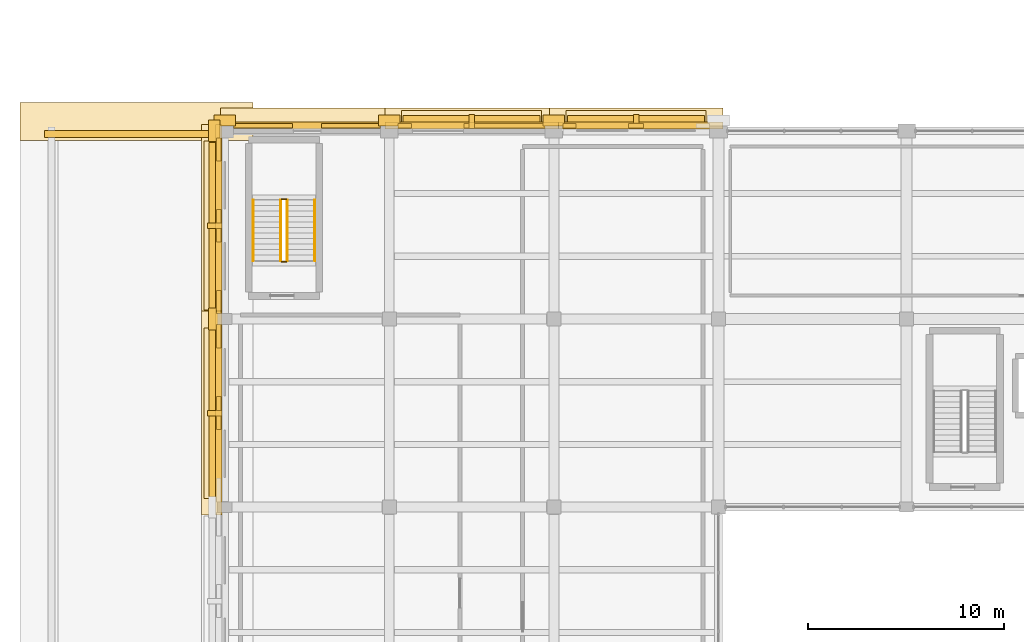
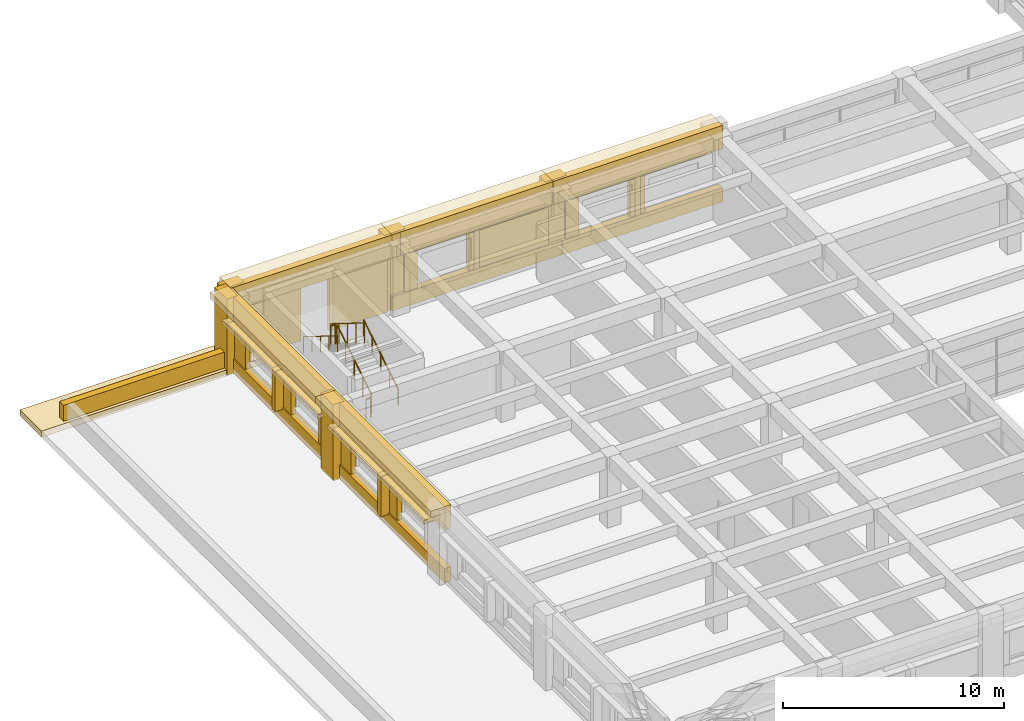
# One storey, part 55 of 62: 40 coverings, 6 railings, 4 shading devices.
"""IFC4 building model written with IfcOpenShell, lengths in metres."""

from ifc_helpers import new_model, si_unit, direction, frame, origin, origin_2d, place, context, subcontext, project, spatial, rectangle, circle, extrude, material, layer, layer_set, type_object, element, save


model = new_model("IFC4")

# Units and contexts
model_context = context("Model", 3, precision=1e-05, world=origin(), true_north=direction((0.0, 1.0)))
body_context = subcontext(model_context, "Body", "Model", "MODEL_VIEW")
ifc_project = project(units=[si_unit("LENGTHUNIT", "METRE"), si_unit("AREAUNIT", "SQUARE_METRE"), si_unit("VOLUMEUNIT", "CUBIC_METRE"), si_unit("PLANEANGLEUNIT", "RADIAN"), si_unit("MASSUNIT", "GRAM", prefix="KILO")], contexts=[model_context])

# Site, building, storey
site_placement = place(None, origin())
site = spatial("IfcSite", under=ifc_project, at=site_placement, CompositionType="ELEMENT")
building_placement = place(site_placement, origin())
building = spatial("IfcBuilding", under=site, at=building_placement, Name="Bempovik Park Faculty of Sciences", CompositionType="ELEMENT")
storey_placement = place(building_placement, frame((0.0, 0.0, 9.89990234375)))
storey = spatial("IfcBuildingStorey", under=building, at=storey_placement, Name="L02", CompositionType="ELEMENT", Elevation=9.89990234375)

# Coverings
ifc_material_1 = material(Name="Precast concrete C40/50", Category="concrete")
ifc_layer_1 = layer(ifc_material_1, 0.179931640625)
ifc_layer_set_1 = layer_set([ifc_layer_1], Name="Precast concrete C40/50")
covering_type_1 = type_object("IfcCoveringType", Name="CL-02 Classical Cornice Band 180mm", PredefinedType="CLADDING", material=ifc_layer_set_1)
covering_1_placement = place(storey_placement, frame((14.93505859375, 72.60009765625, 3.83984375), z_axis=(0.0, 0.0, 1.0), x_axis=(1.0, 0.0, 0.0)))
element("IfcCovering", 1, at=covering_1_placement, inside=storey, type_object=covering_type_1, Name="L02 Classical Projecting Dentil Cornice EW-L02-7445", PredefinedType="CLADDING", context=body_context, shape_type="SweptSolid", body=[
    extrude(rectangle(XDim=1.050048828125, YDim=10.406005859375, at=origin_2d()), origin(), (0.0, 0.0, 1.0), 0.360107421875),
])
covering_2_placement = place(storey_placement, frame((15.0, 72.60009765625, 2.91015625), z_axis=(0.0, 0.0, 1.0), x_axis=(1.0, 0.0, 0.0)))
element("IfcCovering", 2, at=covering_2_placement, inside=storey, type_object=covering_type_1, Name="L02 Classical Stone Solar Window Hood EW-L02-7445", PredefinedType="CLADDING", context=body_context, shape_type="SweptSolid", body=[
    extrude(rectangle(XDim=0.919921875, YDim=8.7060546875, at=origin_2d()), origin(), (0.0, 0.0, 1.0), 0.219970703125),
])
covering_3_placement = place(storey_placement, frame((14.93505859375, 82.159912109375, 3.83984375), z_axis=(0.0, 0.0, 1.0), x_axis=(1.0, 0.0, 0.0)))
element("IfcCovering", 3, at=covering_3_placement, inside=storey, type_object=covering_type_1, Name="L02 Classical Projecting Dentil Cornice EW-L02-7458", PredefinedType="CLADDING", context=body_context, shape_type="SweptSolid", body=[
    extrude(rectangle(XDim=1.050048828125, YDim=10.325927734375, at=origin_2d()), origin(), (0.0, 0.0, 1.0), 0.360107421875),
])
covering_4_placement = place(storey_placement, frame((15.0, 82.159912109375, 2.91015625), z_axis=(0.0, 0.0, 1.0), x_axis=(1.0, 0.0, 0.0)))
element("IfcCovering", 4, at=covering_4_placement, inside=storey, type_object=covering_type_1, Name="L02 Classical Stone Solar Window Hood EW-L02-7458", PredefinedType="CLADDING", context=body_context, shape_type="SweptSolid", body=[
    extrude(rectangle(XDim=0.919921875, YDim=8.6259765625, at=origin_2d()), origin(), (0.0, 0.0, 1.0), 0.219970703125),
])
for number, where, z_axis, x_axis, name in (
    (5, (19.800048828125, 87.635009765625, 3.83984375), (0.0, 0.0, 1.0), (1.0, 0.0, 0.0), "L02 Classical Projecting Dentil Cornice EW-L02-7471"),
    (6, (28.199951171875, 87.635009765625, 3.83984375), (0.0, 0.0, 1.0), (1.0, 0.0, 0.0), "L02 Classical Projecting Dentil Cornice EW-L02-7479"),
):
    element("IfcCovering", number, at=place(storey_placement, frame(where, z_axis=z_axis, x_axis=x_axis)), inside=storey, type_object=covering_type_1, Name=name, PredefinedType="CLADDING", context=body_context, shape_type="SweptSolid", body=[
        extrude(rectangle(XDim=8.845947265625, YDim=1.050048828125, at=origin_2d()), origin(), (0.0, 0.0, 1.0), 0.360107421875),
    ])
covering_5_placement = place(storey_placement, frame((28.199951171875, 87.570068359375, 2.91015625), z_axis=(0.0, 0.0, 1.0), x_axis=(1.0, 0.0, 0.0)))
element("IfcCovering", 7, at=covering_5_placement, inside=storey, type_object=covering_type_1, Name="L02 Classical Stone Solar Window Hood EW-L02-7479", PredefinedType="CLADDING", context=body_context, shape_type="SweptSolid", body=[
    extrude(rectangle(XDim=7.14599609375, YDim=0.919921875, at=origin_2d()), origin(), (0.0, 0.0, 1.0), 0.219970703125),
])
covering_6_placement = place(storey_placement, frame((36.60009765625, 87.635009765625, 3.83984375), z_axis=(0.0, 0.0, 1.0), x_axis=(1.0, 0.0, 0.0)))
element("IfcCovering", 8, at=covering_6_placement, inside=storey, type_object=covering_type_1, Name="L02 Classical Projecting Dentil Cornice EW-L02-7490", PredefinedType="CLADDING", context=body_context, shape_type="SweptSolid", body=[
    extrude(rectangle(XDim=8.845947265625, YDim=1.050048828125, at=origin_2d()), origin(), (0.0, 0.0, 1.0), 0.360107421875),
])
covering_7_placement = place(storey_placement, frame((36.60009765625, 87.570068359375, 2.91015625), z_axis=(0.0, 0.0, 1.0), x_axis=(1.0, 0.0, 0.0)))
element("IfcCovering", 9, at=covering_7_placement, inside=storey, type_object=covering_type_1, Name="L02 Classical Stone Solar Window Hood EW-L02-7490", PredefinedType="CLADDING", context=body_context, shape_type="SweptSolid", body=[
    extrude(rectangle(XDim=7.14599609375, YDim=0.919921875, at=origin_2d()), origin(), (0.0, 0.0, 1.0), 0.219970703125),
])
covering_8_placement = place(storey_placement, frame((11.10009765625, 87.47509765625, -0.06982421875), z_axis=(0.0, 0.0, 1.0), x_axis=(1.0, 0.0, 0.0)))
element("IfcCovering", 10, at=covering_8_placement, inside=storey, type_object=covering_type_1, Name="Classical Deep Overhanging Stone Eave V4LO-N", PredefinedType="CLADDING", context=body_context, shape_type="SweptSolid", body=[
    extrude(rectangle(XDim=11.89990234375, YDim=1.949951171875, at=origin_2d()), origin(), (0.0, 0.0, 1.0), 0.340087890625),
])
ifc_material_2 = material(Name="White reconstituted limestone precast C40/50", Category="masonry")
ifc_layer_2 = layer(ifc_material_2, 0.239990234375)
ifc_layer_set_2 = layer_set([ifc_layer_2], Name="White reconstituted limestone precast C40/50")
covering_type_2 = type_object("IfcCoveringType", Name="CL-03 Classical Fluted Limestone Pilaster 240mm", PredefinedType="CLADDING", material=ifc_layer_set_2)
covering_9_placement = place(storey_placement, frame((15.2900390625, 72.60009765625, 2.919921875), z_axis=(0.0, 0.0, 1.0), x_axis=(1.0, 0.0, 0.0)))
element("IfcCovering", 11, at=covering_9_placement, inside=storey, type_object=covering_type_2, Name="L02 Classical Limestone Spandrel Entablature EW-L02-7445", PredefinedType="CLADDING", context=body_context, shape_type="SweptSolid", body=[
    extrude(rectangle(XDim=0.340087890625, YDim=10.406005859375, at=origin_2d()), origin(), (0.0, 0.0, 1.0), 1.280029296875),
])
covering_10_placement = place(storey_placement, frame((15.2900390625, 72.60009765625, 0.0), z_axis=(0.0, 0.0, 1.0), x_axis=(1.0, 0.0, 0.0)))
element("IfcCovering", 12, at=covering_10_placement, inside=storey, type_object=covering_type_2, Name="L02 Classical Limestone Sill Dado EW-L02-7445", PredefinedType="CLADDING", context=body_context, shape_type="SweptSolid", body=[
    extrude(rectangle(XDim=0.340087890625, YDim=10.406005859375, at=origin_2d()), origin(), (0.0, 0.0, 1.0), 0.780029296875),
])
covering_11_placement = place(storey_placement, frame((15.070068359375, 77.39990234375, 0.0), z_axis=(0.0, 0.0, 1.0), x_axis=(1.0, 0.0, 0.0)))
element("IfcCovering", 13, at=covering_11_placement, inside=storey, type_object=covering_type_2, Name="L02 Classical Fluted Stone Pilaster PIL-BA-L02-151-774", PredefinedType="CLADDING", context=body_context, shape_type="SweptSolid", body=[
    extrude(rectangle(XDim=0.580078125, YDim=1.10009765625, at=origin_2d()), origin(), (0.0, 0.0, 1.0), 4.199951171875),
])
covering_12_placement = place(storey_placement, frame((15.300048828125, 72.60009765625, 0.0), z_axis=(0.0, 0.0, 1.0), x_axis=(1.0, 0.0, 0.0)))
element("IfcCovering", 14, at=covering_12_placement, inside=storey, type_object=covering_type_2, Name="L02 White Limestone Wall Cheek EW-L02-7445-2", PredefinedType="CLADDING", context=body_context, shape_type="SweptSolid", body=[
    extrude(rectangle(XDim=0.239990234375, YDim=1.685791015625, at=origin_2d()), origin(), (0.0, 0.0, 1.0), 3.080078125),
])
covering_13_placement = place(storey_placement, frame((15.300048828125, 76.525390625, 0.0), z_axis=(0.0, 0.0, 1.0), x_axis=(1.0, 0.0, 0.0)))
element("IfcCovering", 15, at=covering_13_placement, inside=storey, type_object=covering_type_2, Name="L02 White Limestone Wall Cheek EW-L02-7445-4", PredefinedType="CLADDING", context=body_context, shape_type="SweptSolid", body=[
    extrude(rectangle(XDim=0.239990234375, YDim=1.205078125, at=origin_2d()), origin(), (0.0, 0.0, 1.0), 3.080078125),
])
covering_14_placement = place(storey_placement, frame((15.090087890625, 72.60009765625, 0.7001953125), z_axis=(0.0, 0.0, 1.0), x_axis=(1.0, 0.0, 0.0)))
element("IfcCovering", 16, at=covering_14_placement, inside=storey, type_object=covering_type_2, Name="L02 Classical Vertical Stone Shading Fin EW-L02-7445", PredefinedType="CLADDING", context=body_context, shape_type="SweptSolid", body=[
    extrude(rectangle(XDim=0.719970703125, YDim=0.280029296875, at=origin_2d()), origin(), (0.0, 0.0, 1.0), 2.25),
])
covering_15_placement = place(storey_placement, frame((15.2900390625, 82.159912109375, 2.919921875), z_axis=(0.0, 0.0, 1.0), x_axis=(1.0, 0.0, 0.0)))
element("IfcCovering", 17, at=covering_15_placement, inside=storey, type_object=covering_type_2, Name="L02 Classical Limestone Spandrel Entablature EW-L02-7458", PredefinedType="CLADDING", context=body_context, shape_type="SweptSolid", body=[
    extrude(rectangle(XDim=0.340087890625, YDim=10.325927734375, at=origin_2d()), origin(), (0.0, 0.0, 1.0), 1.280029296875),
])
covering_16_placement = place(storey_placement, frame((15.2900390625, 82.159912109375, 0.0), z_axis=(0.0, 0.0, 1.0), x_axis=(1.0, 0.0, 0.0)))
element("IfcCovering", 18, at=covering_16_placement, inside=storey, type_object=covering_type_2, Name="L02 Classical Limestone Sill Dado EW-L02-7458", PredefinedType="CLADDING", context=body_context, shape_type="SweptSolid", body=[
    extrude(rectangle(XDim=0.340087890625, YDim=10.325927734375, at=origin_2d()), origin(), (0.0, 0.0, 1.0), 0.780029296875),
])
covering_17_placement = place(storey_placement, frame((15.070068359375, 87.0, 0.0), z_axis=(0.0, 0.0, 1.0), x_axis=(1.0, 0.0, 0.0)))
element("IfcCovering", 19, at=covering_17_placement, inside=storey, type_object=covering_type_2, Name="L02 Classical Fluted Stone Pilaster PIL-BA-L02-151-870", PredefinedType="CLADDING", context=body_context, shape_type="SweptSolid", body=[
    extrude(rectangle(XDim=0.580078125, YDim=1.10009765625, at=origin_2d()), origin(), (0.0, 0.0, 1.0), 4.199951171875),
])
covering_18_placement = place(storey_placement, frame((15.300048828125, 78.263916015625, 0.0), z_axis=(0.0, 0.0, 1.0), x_axis=(1.0, 0.0, 0.0)))
element("IfcCovering", 20, at=covering_18_placement, inside=storey, type_object=covering_type_2, Name="L02 White Limestone Wall Cheek EW-L02-7458-0", PredefinedType="CLADDING", context=body_context, shape_type="SweptSolid", body=[
    extrude(rectangle(XDim=0.239990234375, YDim=1.18359375, at=origin_2d()), origin(), (0.0, 0.0, 1.0), 3.080078125),
])
covering_19_placement = place(storey_placement, frame((15.300048828125, 82.159912109375, 0.0), z_axis=(0.0, 0.0, 1.0), x_axis=(1.0, 0.0, 0.0)))
element("IfcCovering", 21, at=covering_19_placement, inside=storey, type_object=covering_type_2, Name="L02 White Limestone Wall Cheek EW-L02-7458-2", PredefinedType="CLADDING", context=body_context, shape_type="SweptSolid", body=[
    extrude(rectangle(XDim=0.239990234375, YDim=1.64892578125, at=origin_2d()), origin(), (0.0, 0.0, 1.0), 3.080078125),
])
covering_20_placement = place(storey_placement, frame((15.300048828125, 86.05615234375, 0.0), z_axis=(0.0, 0.0, 1.0), x_axis=(1.0, 0.0, 0.0)))
element("IfcCovering", 22, at=covering_20_placement, inside=storey, type_object=covering_type_2, Name="L02 White Limestone Wall Cheek EW-L02-7458-4", PredefinedType="CLADDING", context=body_context, shape_type="SweptSolid", body=[
    extrude(rectangle(XDim=0.239990234375, YDim=1.18359375, at=origin_2d()), origin(), (0.0, 0.0, 1.0), 3.080078125),
])
covering_21_placement = place(storey_placement, frame((15.090087890625, 82.159912109375, 0.7001953125), z_axis=(0.0, 0.0, 1.0), x_axis=(1.0, 0.0, 0.0)))
element("IfcCovering", 23, at=covering_21_placement, inside=storey, type_object=covering_type_2, Name="L02 Classical Vertical Stone Shading Fin EW-L02-7458", PredefinedType="CLADDING", context=body_context, shape_type="SweptSolid", body=[
    extrude(rectangle(XDim=0.719970703125, YDim=0.280029296875, at=origin_2d()), origin(), (0.0, 0.0, 1.0), 2.25),
])
covering_22_placement = place(storey_placement, frame((19.800048828125, 87.280029296875, 2.919921875), z_axis=(0.0, 0.0, 1.0), x_axis=(1.0, 0.0, 0.0)))
element("IfcCovering", 24, at=covering_22_placement, inside=storey, type_object=covering_type_2, Name="L02 Classical Limestone Spandrel Entablature EW-L02-7471", PredefinedType="CLADDING", context=body_context, shape_type="SweptSolid", body=[
    extrude(rectangle(XDim=8.845947265625, YDim=0.340087890625, at=origin_2d()), origin(), (0.0, 0.0, 1.0), 1.280029296875),
])
for number, where, z_axis, x_axis, name in (
    (25, (15.60009765625, 87.530029296875, 0.0), (0.0, 0.0, 1.0), (1.0, 0.0, 0.0), "L02 Classical Fluted Stone Pilaster PIL-BA-L02-156-875"),
    (26, (24.0, 87.530029296875, 0.0), (0.0, 0.0, 1.0), (1.0, 0.0, 0.0), "L02 Classical Fluted Stone Pilaster PIL-BA-L02-240-875"),
):
    element("IfcCovering", number, at=place(storey_placement, frame(where, z_axis=z_axis, x_axis=x_axis)), inside=storey, type_object=covering_type_2, Name=name, PredefinedType="CLADDING", context=body_context, shape_type="SweptSolid", body=[
        extrude(rectangle(XDim=1.10009765625, YDim=0.580078125, at=origin_2d()), origin(), (0.0, 0.0, 1.0), 4.199951171875),
    ])
for number, where, z_axis, x_axis, name in (
    (27, (17.555908203125, 87.27001953125, 0.0), (0.0, 0.0, 1.0), (1.0, 0.0, 0.0), "L02 Stairwell White Limestone Cheek EW-L02-7471-1"),
    (28, (22.0439453125, 87.27001953125, 0.0), (0.0, 0.0, 1.0), (1.0, 0.0, 0.0), "L02 Stairwell White Limestone Cheek EW-L02-7471-2"),
):
    element("IfcCovering", number, at=place(storey_placement, frame(where, z_axis=z_axis, x_axis=x_axis)), inside=storey, type_object=covering_type_2, Name=name, PredefinedType="CLADDING", context=body_context, shape_type="SweptSolid", body=[
        extrude(rectangle(XDim=3.008056640625, YDim=0.239990234375, at=origin_2d()), origin(), (0.0, 0.0, 1.0), 3.080078125),
    ])
covering_23_placement = place(storey_placement, frame((28.199951171875, 87.280029296875, 2.919921875), z_axis=(0.0, 0.0, 1.0), x_axis=(1.0, 0.0, 0.0)))
element("IfcCovering", 29, at=covering_23_placement, inside=storey, type_object=covering_type_2, Name="L02 Classical Limestone Spandrel Entablature EW-L02-7479", PredefinedType="CLADDING", context=body_context, shape_type="SweptSolid", body=[
    extrude(rectangle(XDim=8.845947265625, YDim=0.340087890625, at=origin_2d()), origin(), (0.0, 0.0, 1.0), 1.280029296875),
])
covering_24_placement = place(storey_placement, frame((28.199951171875, 87.280029296875, 0.0), z_axis=(0.0, 0.0, 1.0), x_axis=(1.0, 0.0, 0.0)))
element("IfcCovering", 30, at=covering_24_placement, inside=storey, type_object=covering_type_2, Name="L02 Classical Limestone Sill Dado EW-L02-7479", PredefinedType="CLADDING", context=body_context, shape_type="SweptSolid", body=[
    extrude(rectangle(XDim=8.845947265625, YDim=0.340087890625, at=origin_2d()), origin(), (0.0, 0.0, 1.0), 0.780029296875),
])
covering_25_placement = place(storey_placement, frame((32.39990234375, 87.530029296875, 0.0), z_axis=(0.0, 0.0, 1.0), x_axis=(1.0, 0.0, 0.0)))
element("IfcCovering", 31, at=covering_25_placement, inside=storey, type_object=covering_type_2, Name="L02 Classical Fluted Stone Pilaster PIL-BA-L02-324-875", PredefinedType="CLADDING", context=body_context, shape_type="SweptSolid", body=[
    extrude(rectangle(XDim=1.10009765625, YDim=0.580078125, at=origin_2d()), origin(), (0.0, 0.0, 1.0), 4.199951171875),
])
covering_26_placement = place(storey_placement, frame((24.7939453125, 87.27001953125, 0.0), z_axis=(0.0, 0.0, 1.0), x_axis=(1.0, 0.0, 0.0)))
element("IfcCovering", 32, at=covering_26_placement, inside=storey, type_object=covering_type_2, Name="L02 White Limestone Wall Cheek EW-L02-7479-0", PredefinedType="CLADDING", context=body_context, shape_type="SweptSolid", body=[
    extrude(rectangle(XDim=0.683837890625, YDim=0.239990234375, at=origin_2d()), origin(), (0.0, 0.0, 1.0), 3.080078125),
])
covering_27_placement = place(storey_placement, frame((29.882080078125, 87.27001953125, 0.0), z_axis=(0.0, 0.0, 1.0), x_axis=(1.0, 0.0, 0.0)))
element("IfcCovering", 33, at=covering_27_placement, inside=storey, type_object=covering_type_2, Name="L02 White Limestone Wall Cheek EW-L02-7479-2", PredefinedType="CLADDING", context=body_context, shape_type="SweptSolid", body=[
    extrude(rectangle(XDim=4.132080078125, YDim=0.239990234375, at=origin_2d()), origin(), (0.0, 0.0, 1.0), 3.080078125),
])
covering_28_placement = place(storey_placement, frame((28.199951171875, 87.47998046875, 0.7001953125), z_axis=(0.0, 0.0, 1.0), x_axis=(1.0, 0.0, 0.0)))
element("IfcCovering", 34, at=covering_28_placement, inside=storey, type_object=covering_type_2, Name="L02 Classical Vertical Stone Shading Fin EW-L02-7479", PredefinedType="CLADDING", context=body_context, shape_type="SweptSolid", body=[
    extrude(rectangle(XDim=0.280029296875, YDim=0.719970703125, at=origin_2d()), origin(), (0.0, 0.0, 1.0), 2.25),
])
covering_29_placement = place(storey_placement, frame((36.60009765625, 87.280029296875, 2.919921875), z_axis=(0.0, 0.0, 1.0), x_axis=(1.0, 0.0, 0.0)))
element("IfcCovering", 35, at=covering_29_placement, inside=storey, type_object=covering_type_2, Name="L02 Classical Limestone Spandrel Entablature EW-L02-7490", PredefinedType="CLADDING", context=body_context, shape_type="SweptSolid", body=[
    extrude(rectangle(XDim=8.845947265625, YDim=0.340087890625, at=origin_2d()), origin(), (0.0, 0.0, 1.0), 1.280029296875),
])
covering_30_placement = place(storey_placement, frame((36.60009765625, 87.280029296875, 0.0), z_axis=(0.0, 0.0, 1.0), x_axis=(1.0, 0.0, 0.0)))
element("IfcCovering", 36, at=covering_30_placement, inside=storey, type_object=covering_type_2, Name="L02 Classical Limestone Sill Dado EW-L02-7490", PredefinedType="CLADDING", context=body_context, shape_type="SweptSolid", body=[
    extrude(rectangle(XDim=8.845947265625, YDim=0.340087890625, at=origin_2d()), origin(), (0.0, 0.0, 1.0), 0.780029296875),
])
covering_31_placement = place(storey_placement, frame((33.19384765625, 87.27001953125, 0.0), z_axis=(0.0, 0.0, 1.0), x_axis=(1.0, 0.0, 0.0)))
element("IfcCovering", 37, at=covering_31_placement, inside=storey, type_object=covering_type_2, Name="L02 White Limestone Wall Cheek EW-L02-7490-0", PredefinedType="CLADDING", context=body_context, shape_type="SweptSolid", body=[
    extrude(rectangle(XDim=0.683837890625, YDim=0.239990234375, at=origin_2d()), origin(), (0.0, 0.0, 1.0), 3.080078125),
])
covering_32_placement = place(storey_placement, frame((36.60009765625, 87.27001953125, 0.0), z_axis=(0.0, 0.0, 1.0), x_axis=(1.0, 0.0, 0.0)))
element("IfcCovering", 38, at=covering_32_placement, inside=storey, type_object=covering_type_2, Name="L02 White Limestone Wall Cheek EW-L02-7490-2", PredefinedType="CLADDING", context=body_context, shape_type="SweptSolid", body=[
    extrude(rectangle(XDim=0.768310546875, YDim=0.239990234375, at=origin_2d()), origin(), (0.0, 0.0, 1.0), 3.080078125),
])
covering_33_placement = place(storey_placement, frame((36.60009765625, 87.47998046875, 0.7001953125), z_axis=(0.0, 0.0, 1.0), x_axis=(1.0, 0.0, 0.0)))
element("IfcCovering", 39, at=covering_33_placement, inside=storey, type_object=covering_type_2, Name="L02 Classical Vertical Stone Shading Fin EW-L02-7490", PredefinedType="CLADDING", context=body_context, shape_type="SweptSolid", body=[
    extrude(rectangle(XDim=0.280029296875, YDim=0.719970703125, at=origin_2d()), origin(), (0.0, 0.0, 1.0), 2.25),
])
covering_34_placement = place(storey_placement, frame((11.10009765625, 86.85009765625, 0.10498046875), z_axis=(0.0, 0.0, 1.0), x_axis=(1.0, 0.0, 0.0)))
element("IfcCovering", 40, at=covering_34_placement, inside=storey, type_object=covering_type_2, Name="White Limestone Attic Fascia V4LO-N", PredefinedType="CLADDING", context=body_context, shape_type="SweptSolid", body=[
    extrude(rectangle(XDim=9.39990234375, YDim=0.360107421875, at=origin_2d()), origin(), (0.0, 0.0, 1.0), 1.050048828125),
])

# Railings
ifc_material_3 = material(Name="Anodised architectural bronze")
railing_type_1 = type_object("IfcRailingType", Name="GR-01 Guardrail 1120mm", PredefinedType="GUARDRAIL", material=ifc_material_3)
railing_1_placement = place(storey_placement, frame((18.800048828125, 80.375, 0.175048828125)))
element("IfcRailing", 41, at=railing_1_placement, inside=storey, type_object=railing_type_1, Name="L02 ST-3 Stair Guard 1", PredefinedType="GUARDRAIL", context=body_context, shape_type="SweptSolid", body=[
    extrude(circle(Radius=0.02392578125, at=origin_2d()), frame((0.0, 0.0, 1.09619140625), z_axis=(0.0, 0.84905059285, 0.528311547082), x_axis=(-1.0, 0.0, 0.0)), (0.0, 0.0, 1.0), 3.643798828125),
    extrude(circle(Radius=0.02099609375, at=origin_2d()), origin(), (0.0, 0.0, 1.0), 1.072021484375),
    extrude(circle(Radius=0.02099609375, at=origin_2d()), frame((0.0, 0.7734375, 0.481201171875)), (0.0, 0.0, 1.0), 1.072021484375),
    extrude(circle(Radius=0.02099609375, at=origin_2d()), frame((0.0, 1.546875, 0.96240234375)), (0.0, 0.0, 1.0), 1.072021484375),
    extrude(circle(Radius=0.02099609375, at=origin_2d()), frame((0.0, 2.3203125, 1.44384765625)), (0.0, 0.0, 1.0), 1.072021484375),
    extrude(circle(Radius=0.02099609375, at=origin_2d()), frame((0.0, 3.09375, 1.925048828125)), (0.0, 0.0, 1.0), 1.072021484375),
])
railing_2_placement = place(storey_placement, frame((18.75, 83.518798828125, 2.10009765625)))
element("IfcRailing", 42, at=railing_2_placement, inside=storey, type_object=railing_type_1, Name="L02 ST-3 Stair Guard 2", PredefinedType="GUARDRAIL", context=body_context, shape_type="SweptSolid", body=[
    extrude(circle(Radius=0.02392578125, at=origin_2d()), frame((0.0, 0.0, 1.09619140625), z_axis=(-1.0, 0.0, 0.0), x_axis=(0.0, -1.0, 0.0)), (0.0, 0.0, 1.0), 0.25),
    extrude(circle(Radius=0.02099609375, at=origin_2d()), origin(), (0.0, 0.0, 1.0), 1.072021484375),
    extrude(circle(Radius=0.02099609375, at=origin_2d()), frame((-0.25, 0.0, 0.0)), (0.0, 0.0, 1.0), 1.072021484375),
])
railing_3_placement = place(storey_placement, frame((18.449951171875, 83.46875, 2.275146484375)))
element("IfcRailing", 43, at=railing_3_placement, inside=storey, type_object=railing_type_1, Name="L02 ST-3 Stair Guard 3", PredefinedType="GUARDRAIL", context=body_context, shape_type="SweptSolid", body=[
    extrude(circle(Radius=0.02392578125, at=origin_2d()), frame((0.0, 0.0, 1.09619140625), z_axis=(0.0, -0.84905059285, 0.528311547082), x_axis=(1.0, 0.0, 0.0)), (0.0, 0.0, 1.0), 3.643798828125),
    extrude(circle(Radius=0.02099609375, at=origin_2d()), origin(), (0.0, 0.0, 1.0), 1.072021484375),
    extrude(circle(Radius=0.02099609375, at=origin_2d()), frame((0.0, -0.7734375, 0.481201171875)), (0.0, 0.0, 1.0), 1.072021484375),
    extrude(circle(Radius=0.02099609375, at=origin_2d()), frame((0.0, -1.546875, 0.96240234375)), (0.0, 0.0, 1.0), 1.072021484375),
    extrude(circle(Radius=0.02099609375, at=origin_2d()), frame((0.0, -2.3203125, 1.44384765625)), (0.0, 0.0, 1.0), 1.072021484375),
    extrude(circle(Radius=0.02099609375, at=origin_2d()), frame((0.0, -3.09375, 1.925048828125)), (0.0, 0.0, 1.0), 1.072021484375),
])
railing_4_placement = place(storey_placement, frame((18.75, 80.324951171875, 0.0)))
element("IfcRailing", 44, at=railing_4_placement, inside=storey, type_object=railing_type_1, Name="L02 ST-3 Stair Guard 4", PredefinedType="GUARDRAIL", context=body_context, shape_type="SweptSolid", body=[
    extrude(circle(Radius=0.02392578125, at=origin_2d()), frame((0.0, 0.0, 1.09619140625), z_axis=(-1.0, 0.0, 0.0), x_axis=(0.0, -1.0, 0.0)), (0.0, 0.0, 1.0), 0.25),
    extrude(circle(Radius=0.02099609375, at=origin_2d()), origin(), (0.0, 0.0, 1.0), 1.072021484375),
    extrude(circle(Radius=0.02099609375, at=origin_2d()), frame((-0.25, 0.0, 0.0)), (0.0, 0.0, 1.0), 1.072021484375),
])
railing_type_2 = type_object("IfcRailingType", Name="HR-01 Wall Handrail 900mm", PredefinedType="HANDRAIL", material=ifc_material_3)
railing_5_placement = place(storey_placement, frame((20.199951171875, 80.375, 0.175048828125)))
element("IfcRailing", 45, at=railing_5_placement, inside=storey, type_object=railing_type_2, Name="L02 ST-3 Stair Handrail 1", PredefinedType="HANDRAIL", context=body_context, shape_type="SweptSolid", body=[
    extrude(circle(Radius=0.02392578125, at=origin_2d()), frame((0.0, 0.0, 0.8759765625), z_axis=(0.0, 0.84905059285, 0.528311547082), x_axis=(-1.0, 0.0, 0.0)), (0.0, 0.0, 1.0), 3.643798828125),
    extrude(circle(Radius=0.02099609375, at=origin_2d()), origin(), (0.0, 0.0, 1.0), 0.851806640625),
    extrude(circle(Radius=0.02099609375, at=origin_2d()), frame((0.0, 0.7734375, 0.481201171875)), (0.0, 0.0, 1.0), 0.851806640625),
    extrude(circle(Radius=0.02099609375, at=origin_2d()), frame((0.0, 1.546875, 0.96240234375)), (0.0, 0.0, 1.0), 0.851806640625),
    extrude(circle(Radius=0.02099609375, at=origin_2d()), frame((0.0, 2.3203125, 1.44384765625)), (0.0, 0.0, 1.0), 0.851806640625),
    extrude(circle(Radius=0.02099609375, at=origin_2d()), frame((0.0, 3.09375, 1.925048828125)), (0.0, 0.0, 1.0), 0.851806640625),
])
railing_6_placement = place(storey_placement, frame((17.050048828125, 83.46875, 2.275146484375)))
element("IfcRailing", 46, at=railing_6_placement, inside=storey, type_object=railing_type_2, Name="L02 ST-3 Stair Handrail 2", PredefinedType="HANDRAIL", context=body_context, shape_type="SweptSolid", body=[
    extrude(circle(Radius=0.02392578125, at=origin_2d()), frame((0.0, 0.0, 0.8759765625), z_axis=(0.0, -0.84905059285, 0.528311547082), x_axis=(1.0, 0.0, 0.0)), (0.0, 0.0, 1.0), 3.643798828125),
    extrude(circle(Radius=0.02099609375, at=origin_2d()), origin(), (0.0, 0.0, 1.0), 0.851806640625),
    extrude(circle(Radius=0.02099609375, at=origin_2d()), frame((0.0, -0.7734375, 0.481201171875)), (0.0, 0.0, 1.0), 0.851806640625),
    extrude(circle(Radius=0.02099609375, at=origin_2d()), frame((0.0, -1.546875, 0.96240234375)), (0.0, 0.0, 1.0), 0.851806640625),
    extrude(circle(Radius=0.02099609375, at=origin_2d()), frame((0.0, -2.3203125, 1.44384765625)), (0.0, 0.0, 1.0), 0.851806640625),
    extrude(circle(Radius=0.02099609375, at=origin_2d()), frame((0.0, -3.09375, 1.925048828125)), (0.0, 0.0, 1.0), 0.851806640625),
])

# Shading devices
ifc_layer_3 = layer(ifc_material_3, 0.06005859375)
ifc_layer_set_3 = layer_set([ifc_layer_3], Name="Anodised architectural bronze")
shading_device_type = type_object("IfcShadingDeviceType", Name="SH-01 Bronze Brise-Soleil Fin", PredefinedType="USERDEFINED", material=ifc_layer_set_3)
shading_device_1_placement = place(storey_placement, frame((15.1201171875, 72.60009765625, 2.85009765625), z_axis=(0.0, 0.0, 1.0), x_axis=(1.0, 0.0, 0.0)))
element("IfcShadingDevice", 47, at=shading_device_1_placement, inside=storey, type_object=shading_device_type, Name="L02 Equatorial Bronze Brise-Soleil EW-L02-7445", ObjectType="BRISE SOLEIL", PredefinedType="USERDEFINED", context=body_context, shape_type="SweptSolid", body=[
    extrude(rectangle(XDim=0.64990234375, YDim=8.555908203125, at=origin_2d()), origin(), (0.0, 0.0, 1.0), 0.06005859375),
])
shading_device_2_placement = place(storey_placement, frame((15.1201171875, 82.159912109375, 2.85009765625), z_axis=(0.0, 0.0, 1.0), x_axis=(1.0, 0.0, 0.0)))
element("IfcShadingDevice", 48, at=shading_device_2_placement, inside=storey, type_object=shading_device_type, Name="L02 Equatorial Bronze Brise-Soleil EW-L02-7458", ObjectType="BRISE SOLEIL", PredefinedType="USERDEFINED", context=body_context, shape_type="SweptSolid", body=[
    extrude(rectangle(XDim=0.64990234375, YDim=8.47607421875, at=origin_2d()), origin(), (0.0, 0.0, 1.0), 0.06005859375),
])
for number, where, z_axis, x_axis, name in (
    (49, (28.199951171875, 87.449951171875, 2.85009765625), (0.0, 0.0, 1.0), (1.0, 0.0, 0.0), "L02 Equatorial Bronze Brise-Soleil EW-L02-7479"),
    (50, (36.60009765625, 87.449951171875, 2.85009765625), (0.0, 0.0, 1.0), (1.0, 0.0, 0.0), "L02 Equatorial Bronze Brise-Soleil EW-L02-7490"),
):
    element("IfcShadingDevice", number, at=place(storey_placement, frame(where, z_axis=z_axis, x_axis=x_axis)), inside=storey, type_object=shading_device_type, Name=name, ObjectType="BRISE SOLEIL", PredefinedType="USERDEFINED", context=body_context, shape_type="SweptSolid", body=[
        extrude(rectangle(XDim=6.99609375, YDim=0.64990234375, at=origin_2d()), origin(), (0.0, 0.0, 1.0), 0.06005859375),
    ])

save(model, "model.ifc")
